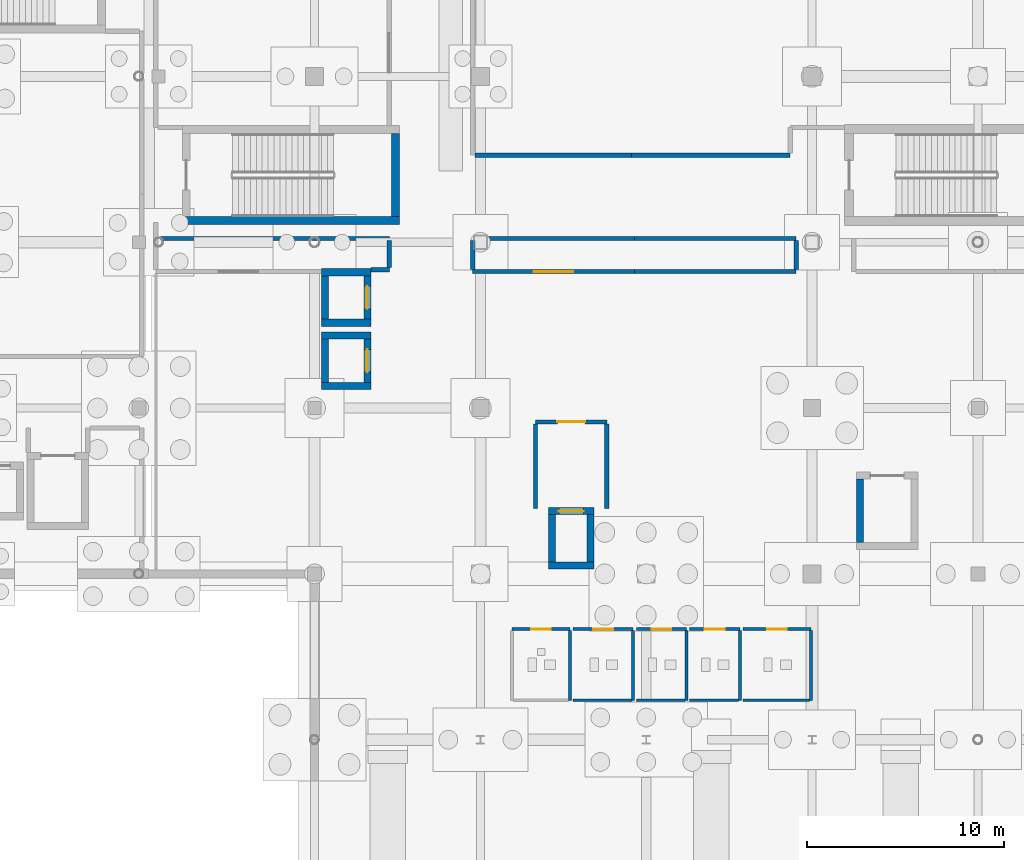
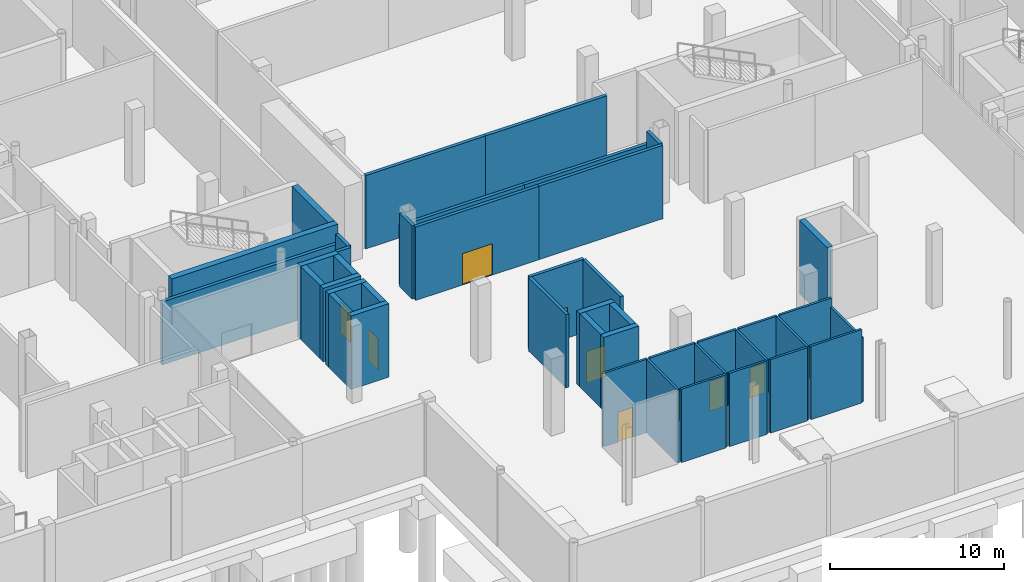
# One storey, part 28 of 49: 43 walls, 10 doors, 10 openings.
"""IFC4 building model written with IfcOpenShell, lengths in metres."""

from ifc_helpers import new_model, si_unit, direction, frame, frame_2d, origin, place, context, subcontext, project, spatial, rectangle, extrude, material, layer, layer_set, type_object, element, fill, save


model = new_model("IFC4")

# Units and contexts
model_context = context("Model", 3, precision=1e-05, world=origin(), true_north=direction((0.0, 1.0)))
body_context = subcontext(model_context, "Body", "Model", "MODEL_VIEW")
ifc_project = project(units=[si_unit("LENGTHUNIT", "METRE"), si_unit("AREAUNIT", "SQUARE_METRE"), si_unit("VOLUMEUNIT", "CUBIC_METRE"), si_unit("PLANEANGLEUNIT", "RADIAN"), si_unit("MASSUNIT", "GRAM", prefix="KILO"), si_unit("THERMODYNAMICTEMPERATUREUNIT", "KELVIN")], contexts=[model_context])

# Site, building, storey
site_placement = place(None, origin())
site = spatial("IfcSite", under=ifc_project, at=site_placement, CompositionType="ELEMENT")
building_placement = place(site_placement, origin())
building = spatial("IfcBuilding", under=site, at=building_placement, Name="Lustrewick Department Store", CompositionType="ELEMENT")
storey_placement = place(building_placement, frame((0.0, 0.0, -5.39990234375)))
storey = spatial("IfcBuildingStorey", under=building, at=storey_placement, Name="B1", CompositionType="ELEMENT", Elevation=-5.39990234375)

# Walls
ifc_material_1 = material(Name="Autoclaved aerated concrete blockwork and fire board", Category="masonry")
ifc_layer_1 = layer(ifc_material_1, 0.219970703125, Name="Autoclaved aerated concrete blockwork and fire board")
ifc_layer_set_1 = layer_set([ifc_layer_1], Name="Autoclaved aerated concrete blockwork and fire board")
wall_type_1 = type_object("IfcWallType", Name="PW01", PredefinedType="PARTITIONING", material=ifc_layer_set_1)
wall_1_placement = place(storey_placement, frame((70.989990234375, 58.989990234375, 0.0), z_axis=(0.0, 0.0, 1.0), x_axis=(-1.0, 0.0, 0.0)))
element("IfcWall", 1, at=wall_1_placement, inside=storey, type_object=wall_type_1, Name="B1 V2 Reserve Stockroom 1 PW01", PredefinedType="PARTITIONING", context=body_context, shape_type="SweptSolid", body=[
    extrude(rectangle(XDim=11.590087890625, YDim=0.219970703125, at=frame_2d((5.794921875, 0.0))), origin(), (0.0, 0.0, 1.0), 4.421875),
])
wall_2_placement = place(storey_placement, frame((70.06005859375, 57.409912109375, 0.0), z_axis=(0.0, 0.0, 1.0), x_axis=(1.0, 0.0, 0.0)))
element("IfcWall", 2, at=wall_2_placement, inside=storey, type_object=wall_type_1, Name="B1 V2 Reserve Stockroom 1 PW01", PredefinedType="PARTITIONING", context=body_context, shape_type="SweptSolid", body=[
    extrude(rectangle(XDim=0.929931640625, YDim=0.219970703125, at=frame_2d((0.46484375, 0.0))), origin(), (0.0, 0.0, 1.0), 5.14501953125),
])
wall_3_placement = place(storey_placement, frame((70.989990234375, 57.514892578125, 0.0), z_axis=(0.0, 0.0, 1.0), x_axis=(0.0, 1.0, 0.0)))
element("IfcWall", 3, at=wall_3_placement, inside=storey, type_object=wall_type_1, Name="B1 V2 Reserve Stockroom 1 PW01", PredefinedType="PARTITIONING", context=body_context, shape_type="SweptSolid", body=[
    extrude(rectangle(XDim=1.3701171875, YDim=0.219970703125, at=frame_2d((0.68505859375, 0.0))), origin(), (0.0, 0.0, 1.0), 5.14501953125),
])

# Wall, opening, door
wall_4_placement = place(storey_placement, frame((75.2099609375, 57.313720703125, 0.0), z_axis=(0.0, 0.0, 1.0), x_axis=(1.0, 0.0, 0.0)))
wall_4 = element("IfcWall", 4, at=wall_4_placement, inside=storey, type_object=wall_type_1, Name="B1 V2 Reserve Stockroom 2 PW01", PredefinedType="PARTITIONING", context=body_context, shape_type="SweptSolid", body=[
    extrude(rectangle(XDim=8.18994140625, YDim=0.219970703125, at=frame_2d((4.094970703125, 0.0))), origin(), (0.0, 0.0, 1.0), 5.14501953125),
])
opening_1_placement = place(wall_4_placement, frame((3.094970703125, 0.0, 0.0)))
opening_1 = element("IfcOpeningElement", 5, at=opening_1_placement, cuts=wall_4, Name="Opening D-B1-054", PredefinedType="OPENING", context=body_context, shape_type="SweptSolid", body=[
    extrude(rectangle(XDim=2.0, YDim=2.199951171875, at=frame_2d((1.0, 1.10009765625))), frame((0.0, 0.1201171875, 0.0), z_axis=(0.0, -1.0, 0.0), x_axis=(1.0, 0.0, 0.0)), (0.0, 0.0, 1.0), 0.239990234375),
])
ifc_material_2 = material(Name="Steel fire door Class A EI 90", Category="steel")
door_type_1 = type_object("IfcDoorType", Name="DT-06", OperationType="NOTDEFINED", PredefinedType="DOOR", material=ifc_material_2)
door_1_placement = place(opening_1_placement, origin())
door_1 = element("IfcDoor", 6, at=door_1_placement, inside=storey, type_object=door_type_1, Name="B1 V2 Reserve Stockroom 2 Door D-B1-054", OperationType="DOUBLE_DOOR_SINGLE_SWING", OverallHeight=2.199951171875, OverallWidth=2.0, PredefinedType="DOOR", context=body_context, shape_type="SweptSolid", body=[
    extrude(rectangle(XDim=2.0, YDim=2.199951171875, at=frame_2d((1.0, 1.10009765625))), frame((0.0, 0.02490234375, 0.0), z_axis=(0.0, -1.0, 0.0), x_axis=(1.0, 0.0, 0.0)), (0.0, 0.0, 1.0), 0.050048828125),
])
fill(opening_1, door_1)

# Walls
wall_5_placement = place(storey_placement, frame((83.39990234375, 57.313720703125, 0.0), z_axis=(0.0, 0.0, 1.0), x_axis=(1.0, 0.0, 0.0)))
element("IfcWall", 7, at=wall_5_placement, inside=storey, type_object=wall_type_1, Name="B1 V2 Reserve Stockroom 2 PW01", PredefinedType="PARTITIONING", context=body_context, shape_type="SweptSolid", body=[
    extrude(rectangle(XDim=8.190185546875, YDim=0.219970703125, at=frame_2d((4.09521484375, 0.0))), origin(), (0.0, 0.0, 1.0), 5.14501953125),
])
wall_6_placement = place(storey_placement, frame((91.590087890625, 58.989990234375, 0.0), z_axis=(0.0, 0.0, 1.0), x_axis=(-1.0, 0.0, 0.0)))
element("IfcWall", 8, at=wall_6_placement, inside=storey, type_object=wall_type_1, Name="B1 V2 Reserve Stockroom 2 PW01", PredefinedType="PARTITIONING", context=body_context, shape_type="SweptSolid", body=[
    extrude(rectangle(XDim=8.190185546875, YDim=0.219970703125, at=frame_2d((4.09521484375, 0.0))), origin(), (0.0, 0.0, 1.0), 4.221923828125),
])
wall_7_placement = place(storey_placement, frame((83.39990234375, 58.989990234375, 0.0), z_axis=(0.0, 0.0, 1.0), x_axis=(-1.0, 0.0, 0.0)))
element("IfcWall", 9, at=wall_7_placement, inside=storey, type_object=wall_type_1, Name="B1 V2 Reserve Stockroom 2 PW01", PredefinedType="PARTITIONING", context=body_context, shape_type="SweptSolid", body=[
    extrude(rectangle(XDim=8.18994140625, YDim=0.219970703125, at=frame_2d((4.094970703125, 0.0))), origin(), (0.0, 0.0, 1.0), 4.221923828125),
])
for number, where, z_axis, x_axis, name in (
    (10, (75.2099609375, 58.885009765625, 0.0), (0.0, 0.0, 1.0), (0.0, -1.0, 0.0), "B1 V2 Reserve Stockroom 2 PW01"),
    (11, (91.590087890625, 57.418701171875, 0.0), (0.0, 0.0, 1.0), (0.0, 1.0, 0.0), "B1 V2 Reserve Stockroom 2 PW01"),
):
    element("IfcWall", number, at=place(storey_placement, frame(where, z_axis=z_axis, x_axis=x_axis)), inside=storey, type_object=wall_type_1, Name=name, PredefinedType="PARTITIONING", context=body_context, shape_type="SweptSolid", body=[
        extrude(rectangle(XDim=1.46630859375, YDim=0.219970703125, at=frame_2d((0.733154296875, 0.0))), origin(), (0.0, 0.0, 1.0), 5.14501953125),
    ])
wall_8_placement = place(storey_placement, frame((75.31494140625, 63.2099609375, 0.0), z_axis=(0.0, 0.0, 1.0), x_axis=(1.0, 0.0, 0.0)))
element("IfcWall", 12, at=wall_8_placement, inside=storey, type_object=wall_type_1, Name="B1 Forward Merchandise Stockroom PW01", PredefinedType="PARTITIONING", context=body_context, shape_type="SweptSolid", body=[
    extrude(rectangle(XDim=7.93505859375, YDim=0.219970703125, at=frame_2d((3.967529296875, 0.0))), origin(), (0.0, 0.0, 1.0), 5.14501953125),
])
wall_9_placement = place(storey_placement, frame((83.25, 63.2099609375, 0.0), z_axis=(0.0, 0.0, 1.0), x_axis=(1.0, 0.0, 0.0)))
element("IfcWall", 13, at=wall_9_placement, inside=storey, type_object=wall_type_1, Name="B1 Forward Merchandise Stockroom PW01", PredefinedType="PARTITIONING", context=body_context, shape_type="SweptSolid", body=[
    extrude(rectangle(XDim=8.0400390625, YDim=0.219970703125, at=frame_2d((4.02001953125, 0.0))), origin(), (0.0, 0.0, 1.0), 5.14501953125),
])

# Wall, opening, door
ifc_layer_2 = layer(ifc_material_1, 0.205078125, Name="Autoclaved aerated concrete blockwork and fire board")
ifc_layer_set_2 = layer_set([ifc_layer_2], Name="Autoclaved aerated concrete blockwork and fire board")
wall_type_2 = type_object("IfcWallType", Name="PW02", PredefinedType="PARTITIONING", material=ifc_layer_set_2)
wall_10_placement = place(storey_placement, frame((82.0, 49.699951171875, 0.0), z_axis=(0.0, 0.0, 1.0), x_axis=(-1.0, 0.0, 0.0)))
wall_10 = element("IfcWall", 14, at=wall_10_placement, inside=storey, type_object=wall_type_2, Name="B1 Firefighting Lift Lobby FFL-02 PW02", PredefinedType="PARTITIONING", context=body_context, shape_type="SweptSolid", body=[
    extrude(rectangle(XDim=3.60009765625, YDim=0.205078125, at=frame_2d((1.800048828125, 0.0))), origin(), (0.0, 0.0, 1.0), 5.14501953125),
])
opening_2_placement = place(wall_10_placement, frame((1.10009765625, 0.0, 0.0)))
opening_2 = element("IfcOpeningElement", 15, at=opening_2_placement, cuts=wall_10, Name="Opening D-B1-047", PredefinedType="OPENING", context=body_context, shape_type="SweptSolid", body=[
    extrude(rectangle(XDim=1.39990234375, YDim=2.14990234375, at=frame_2d((0.699951171875, 1.074951171875))), frame((0.0, 0.112548828125, 0.0), z_axis=(0.0, -1.0, 0.0), x_axis=(1.0, 0.0, 0.0)), (0.0, 0.0, 1.0), 0.22509765625),
])
ifc_material_3 = material(Name="Steel fire door Class B EI 60", Category="steel")
door_type_2 = type_object("IfcDoorType", Name="DT-08", OperationType="NOTDEFINED", PredefinedType="DOOR", material=ifc_material_3)
door_2_placement = place(opening_2_placement, origin())
door_2 = element("IfcDoor", 16, at=door_2_placement, inside=storey, type_object=door_type_2, Name="B1 Firefighting Lift Lobby FFL-02 Door D-B1-047", OperationType="SINGLE_SWING_LEFT", OverallHeight=2.14990234375, OverallWidth=1.39990234375, PredefinedType="DOOR", context=body_context, shape_type="SweptSolid", body=[
    extrude(rectangle(XDim=1.39990234375, YDim=2.14990234375, at=frame_2d((0.699951171875, 1.074951171875))), frame((0.0, 0.02490234375, 0.0), z_axis=(0.0, -1.0, 0.0), x_axis=(1.0, 0.0, 0.0)), (0.0, 0.0, 1.0), 0.050048828125),
])
fill(opening_2, door_2)

# Walls
for number, where, z_axis, x_axis, name in (
    (17, (82.0, 45.300048828125, 0.0), (0.0, 0.0, 1.0), (0.0, 1.0, 0.0), "B1 Firefighting Lift Lobby FFL-02 PW02"),
    (18, (78.39990234375, 49.6025390625, 0.0), (0.0, 0.0, 1.0), (0.0, -1.0, 0.0), "B1 Firefighting Lift Lobby FFL-02 PW02"),
):
    element("IfcWall", number, at=place(storey_placement, frame(where, z_axis=z_axis, x_axis=x_axis)), inside=storey, type_object=wall_type_2, Name=name, PredefinedType="PARTITIONING", context=body_context, shape_type="SweptSolid", body=[
        extrude(rectangle(XDim=4.302490234375, YDim=0.205078125, at=frame_2d((2.1513671875, 0.0))), origin(), (0.0, 0.0, 1.0), 5.14501953125),
    ])

# Wall, opening, door
ifc_material_4 = material(Name="Moisture-resistant cement board sanitary partition", Category="gypsum")
ifc_layer_3 = layer(ifc_material_4, 0.14990234375, Name="Moisture-resistant cement board sanitary partition")
ifc_layer_set_3 = layer_set([ifc_layer_3], Name="Moisture-resistant cement board sanitary partition")
wall_type_3 = type_object("IfcWallType", Name="PW05", PredefinedType="PARTITIONING", material=ifc_layer_set_3)
wall_11_placement = place(storey_placement, frame((80.139892578125, 39.199951171875, 0.0), z_axis=(0.0, 0.0, 1.0), x_axis=(-1.0, 0.0, 0.0)))
wall_11 = element("IfcWall", 19, at=wall_11_placement, inside=storey, type_object=wall_type_3, Name="B1 Male Public WC PW05", PredefinedType="PARTITIONING", context=body_context, shape_type="SweptSolid", body=[
    extrude(rectangle(XDim=2.93994140625, YDim=0.14990234375, at=frame_2d((1.469970703125, 0.0))), origin(), (0.0, 0.0, 1.0), 5.14501953125),
])
opening_3_placement = place(wall_11_placement, frame((0.969970703125, 0.0, 0.0)))
opening_3 = element("IfcOpeningElement", 20, at=opening_3_placement, cuts=wall_11, Name="Opening D-B1-048", PredefinedType="OPENING", context=body_context, shape_type="SweptSolid", body=[
    extrude(rectangle(XDim=1.0, YDim=2.10009765625, at=frame_2d((0.5, 1.050048828125))), frame((0.0, 0.0849609375, 0.0), z_axis=(0.0, -1.0, 0.0), x_axis=(1.0, 0.0, 0.0)), (0.0, 0.0, 1.0), 0.169921875),
])
ifc_material_5 = material(Name="Moisture-resistant laminate sanitary door", Category="steel")
door_type_3 = type_object("IfcDoorType", Name="DT-11", OperationType="NOTDEFINED", PredefinedType="DOOR", material=ifc_material_5)
door_3_placement = place(opening_3_placement, origin())
door_3 = element("IfcDoor", 21, at=door_3_placement, inside=storey, type_object=door_type_3, Name="B1 Male Public WC Door D-B1-048", OperationType="SINGLE_SWING_RIGHT", OverallHeight=2.10009765625, OverallWidth=1.0, PredefinedType="DOOR", context=body_context, shape_type="SweptSolid", body=[
    extrude(rectangle(XDim=1.0, YDim=2.10009765625, at=frame_2d((0.5, 1.050048828125))), frame((0.0, 0.02490234375, 0.0), z_axis=(0.0, -1.0, 0.0), x_axis=(1.0, 0.0, 0.0)), (0.0, 0.0, 1.0), 0.050048828125),
])
fill(opening_3, door_3)

# Wall
wall_12_placement = place(storey_placement, frame((80.139892578125, 35.60009765625, 0.0), z_axis=(0.0, 0.0, 1.0), x_axis=(0.0, 1.0, 0.0)))
element("IfcWall", 22, at=wall_12_placement, inside=storey, type_object=wall_type_3, Name="B1 Male Public WC PW05", PredefinedType="PARTITIONING", context=body_context, shape_type="SweptSolid", body=[
    extrude(rectangle(XDim=3.52978515625, YDim=0.14990234375, at=frame_2d((1.764892578125, 0.0))), origin(), (0.0, 0.0, 1.0), 5.14501953125),
])

# Wall, opening, door
wall_13_placement = place(storey_placement, frame((83.340087890625, 39.199951171875, 0.0), z_axis=(0.0, 0.0, 1.0), x_axis=(-1.0, 0.0, 0.0)))
wall_13 = element("IfcWall", 23, at=wall_13_placement, inside=storey, type_object=wall_type_3, Name="B1 Female Public WC PW05", PredefinedType="PARTITIONING", context=body_context, shape_type="SweptSolid", body=[
    extrude(rectangle(XDim=3.0400390625, YDim=0.14990234375, at=frame_2d((1.52001953125, 0.0))), origin(), (0.0, 0.0, 1.0), 5.14501953125),
])
opening_4_placement = place(wall_13_placement, frame((1.02001953125, 0.0, 0.0)))
opening_4 = element("IfcOpeningElement", 24, at=opening_4_placement, cuts=wall_13, Name="Opening D-B1-049", PredefinedType="OPENING", context=body_context, shape_type="SweptSolid", body=[
    extrude(rectangle(XDim=1.0, YDim=2.10009765625, at=frame_2d((0.5, 1.050048828125))), frame((0.0, 0.0849609375, 0.0), z_axis=(0.0, -1.0, 0.0), x_axis=(1.0, 0.0, 0.0)), (0.0, 0.0, 1.0), 0.169921875),
])
door_4_placement = place(opening_4_placement, origin())
door_4 = element("IfcDoor", 25, at=door_4_placement, inside=storey, type_object=door_type_3, Name="B1 Female Public WC Door D-B1-049", OperationType="SINGLE_SWING_LEFT", OverallHeight=2.10009765625, OverallWidth=1.0, PredefinedType="DOOR", context=body_context, shape_type="SweptSolid", body=[
    extrude(rectangle(XDim=1.0, YDim=2.10009765625, at=frame_2d((0.5, 1.050048828125))), frame((0.0, 0.02490234375, 0.0), z_axis=(0.0, -1.0, 0.0), x_axis=(1.0, 0.0, 0.0)), (0.0, 0.0, 1.0), 0.050048828125),
])
fill(opening_4, door_4)

# Walls
wall_14_placement = place(storey_placement, frame((83.340087890625, 35.60009765625, 0.0), z_axis=(0.0, 0.0, 1.0), x_axis=(0.0, 1.0, 0.0)))
element("IfcWall", 26, at=wall_14_placement, inside=storey, type_object=wall_type_3, Name="B1 Female Public WC PW05", PredefinedType="PARTITIONING", context=body_context, shape_type="SweptSolid", body=[
    extrude(rectangle(XDim=3.52978515625, YDim=0.14990234375, at=frame_2d((1.764892578125, 0.0))), origin(), (0.0, 0.0, 1.0), 5.14501953125),
])
wall_15_placement = place(storey_placement, frame((80.300048828125, 35.60009765625, 0.0), z_axis=(0.0, 0.0, 1.0), x_axis=(1.0, 0.0, 0.0)))
element("IfcWall", 27, at=wall_15_placement, inside=storey, type_object=wall_type_3, Name="B1 Female Public WC PW05", PredefinedType="PARTITIONING", context=body_context, shape_type="SweptSolid", body=[
    extrude(rectangle(XDim=2.969970703125, YDim=0.14990234375, at=frame_2d((1.48486328125, 0.0))), origin(), (0.0, 0.0, 1.0), 5.14501953125),
])

# Wall, opening, door
wall_16_placement = place(storey_placement, frame((86.0400390625, 39.199951171875, 0.0), z_axis=(0.0, 0.0, 1.0), x_axis=(-1.0, 0.0, 0.0)))
wall_16 = element("IfcWall", 28, at=wall_16_placement, inside=storey, type_object=wall_type_3, Name="B1 Accessible WC PW05", PredefinedType="PARTITIONING", context=body_context, shape_type="SweptSolid", body=[
    extrude(rectangle(XDim=2.5400390625, YDim=0.14990234375, at=frame_2d((1.27001953125, 0.0))), origin(), (0.0, 0.0, 1.0), 5.14501953125),
])
opening_5_placement = place(wall_16_placement, frame((0.780029296875, 0.0, 0.0)))
opening_5 = element("IfcOpeningElement", 29, at=opening_5_placement, cuts=wall_16, Name="Opening D-B1-050", PredefinedType="OPENING", context=body_context, shape_type="SweptSolid", body=[
    extrude(rectangle(XDim=0.97998046875, YDim=2.10009765625, at=frame_2d((0.489990234375, 1.050048828125))), frame((0.0, 0.0849609375, 0.0), z_axis=(0.0, -1.0, 0.0), x_axis=(1.0, 0.0, 0.0)), (0.0, 0.0, 1.0), 0.169921875),
])
ifc_material_6 = material(Name="Barrier-free accessible sanitary door", Category="steel")
door_type_4 = type_object("IfcDoorType", Name="DT-12", OperationType="NOTDEFINED", PredefinedType="DOOR", material=ifc_material_6)
door_5_placement = place(opening_5_placement, origin())
door_5 = element("IfcDoor", 30, at=door_5_placement, inside=storey, type_object=door_type_4, Name="B1 Accessible WC Door D-B1-050", OperationType="SINGLE_SWING_RIGHT", OverallHeight=2.10009765625, OverallWidth=0.97998046875, PredefinedType="DOOR", context=body_context, shape_type="SweptSolid", body=[
    extrude(rectangle(XDim=0.97998046875, YDim=2.10009765625, at=frame_2d((0.489990234375, 1.050048828125))), frame((0.0, 0.02490234375, 0.0), z_axis=(0.0, -1.0, 0.0), x_axis=(1.0, 0.0, 0.0)), (0.0, 0.0, 1.0), 0.050048828125),
])
fill(opening_5, door_5)

# Walls
wall_17_placement = place(storey_placement, frame((86.0400390625, 35.60009765625, 0.0), z_axis=(0.0, 0.0, 1.0), x_axis=(0.0, 1.0, 0.0)))
element("IfcWall", 31, at=wall_17_placement, inside=storey, type_object=wall_type_3, Name="B1 Accessible WC PW05", PredefinedType="PARTITIONING", context=body_context, shape_type="SweptSolid", body=[
    extrude(rectangle(XDim=3.52978515625, YDim=0.14990234375, at=frame_2d((1.764892578125, 0.0))), origin(), (0.0, 0.0, 1.0), 5.14501953125),
])
wall_18_placement = place(storey_placement, frame((83.5, 35.60009765625, 0.0), z_axis=(0.0, 0.0, 1.0), x_axis=(1.0, 0.0, 0.0)))
element("IfcWall", 32, at=wall_18_placement, inside=storey, type_object=wall_type_3, Name="B1 Accessible WC PW05", PredefinedType="PARTITIONING", context=body_context, shape_type="SweptSolid", body=[
    extrude(rectangle(XDim=2.469970703125, YDim=0.14990234375, at=frame_2d((1.23486328125, 0.0))), origin(), (0.0, 0.0, 1.0), 5.14501953125),
])

# Wall, opening, door
wall_19_placement = place(storey_placement, frame((88.739990234375, 39.199951171875, 0.0), z_axis=(0.0, 0.0, 1.0), x_axis=(-1.0, 0.0, 0.0)))
wall_19 = element("IfcWall", 33, at=wall_19_placement, inside=storey, type_object=wall_type_3, Name="B1 Staff WC PW05", PredefinedType="PARTITIONING", context=body_context, shape_type="SweptSolid", body=[
    extrude(rectangle(XDim=2.5400390625, YDim=0.14990234375, at=frame_2d((1.27001953125, 0.0))), origin(), (0.0, 0.0, 1.0), 5.14501953125),
])
opening_6_placement = place(wall_19_placement, frame((0.77001953125, 0.0, 0.0)))
opening_6 = element("IfcOpeningElement", 34, at=opening_6_placement, cuts=wall_19, Name="Opening D-B1-051", PredefinedType="OPENING", context=body_context, shape_type="SweptSolid", body=[
    extrude(rectangle(XDim=1.0, YDim=2.10009765625, at=frame_2d((0.5, 1.050048828125))), frame((0.0, 0.0849609375, 0.0), z_axis=(0.0, -1.0, 0.0), x_axis=(1.0, 0.0, 0.0)), (0.0, 0.0, 1.0), 0.169921875),
])
door_6_placement = place(opening_6_placement, origin())
door_6 = element("IfcDoor", 35, at=door_6_placement, inside=storey, type_object=door_type_3, Name="B1 Staff WC Door D-B1-051", OperationType="SINGLE_SWING_LEFT", OverallHeight=2.10009765625, OverallWidth=1.0, PredefinedType="DOOR", context=body_context, shape_type="SweptSolid", body=[
    extrude(rectangle(XDim=1.0, YDim=2.10009765625, at=frame_2d((0.5, 1.050048828125))), frame((0.0, 0.02490234375, 0.0), z_axis=(0.0, -1.0, 0.0), x_axis=(1.0, 0.0, 0.0)), (0.0, 0.0, 1.0), 0.050048828125),
])
fill(opening_6, door_6)

# Walls
wall_20_placement = place(storey_placement, frame((88.739990234375, 35.60009765625, 0.0), z_axis=(0.0, 0.0, 1.0), x_axis=(0.0, 1.0, 0.0)))
element("IfcWall", 36, at=wall_20_placement, inside=storey, type_object=wall_type_3, Name="B1 Staff WC PW05", PredefinedType="PARTITIONING", context=body_context, shape_type="SweptSolid", body=[
    extrude(rectangle(XDim=3.52978515625, YDim=0.14990234375, at=frame_2d((1.764892578125, 0.0))), origin(), (0.0, 0.0, 1.0), 5.14501953125),
])
wall_21_placement = place(storey_placement, frame((86.199951171875, 35.60009765625, 0.0), z_axis=(0.0, 0.0, 1.0), x_axis=(1.0, 0.0, 0.0)))
element("IfcWall", 37, at=wall_21_placement, inside=storey, type_object=wall_type_3, Name="B1 Staff WC PW05", PredefinedType="PARTITIONING", context=body_context, shape_type="SweptSolid", body=[
    extrude(rectangle(XDim=2.469970703125, YDim=0.14990234375, at=frame_2d((1.23486328125, 0.0))), origin(), (0.0, 0.0, 1.0), 5.14501953125),
])

# Wall, opening, door
wall_22_placement = place(storey_placement, frame((92.340087890625, 39.199951171875, 0.0), z_axis=(0.0, 0.0, 1.0), x_axis=(-1.0, 0.0, 0.0)))
wall_22 = element("IfcWall", 38, at=wall_22_placement, inside=storey, type_object=wall_type_3, Name="B1 Nursery Room PW05", PredefinedType="PARTITIONING", context=body_context, shape_type="SweptSolid", body=[
    extrude(rectangle(XDim=3.440185546875, YDim=0.14990234375, at=frame_2d((1.72021484375, 0.0))), origin(), (0.0, 0.0, 1.0), 5.14501953125),
])
opening_7_placement = place(wall_22_placement, frame((1.22998046875, 0.0, 0.0)))
opening_7 = element("IfcOpeningElement", 39, at=opening_7_placement, cuts=wall_22, Name="Opening D-B1-052", PredefinedType="OPENING", context=body_context, shape_type="SweptSolid", body=[
    extrude(rectangle(XDim=0.97998046875, YDim=2.10009765625, at=frame_2d((0.489990234375, 1.050048828125))), frame((0.0, 0.0849609375, 0.0), z_axis=(0.0, -1.0, 0.0), x_axis=(1.0, 0.0, 0.0)), (0.0, 0.0, 1.0), 0.169921875),
])
door_7_placement = place(opening_7_placement, origin())
door_7 = element("IfcDoor", 40, at=door_7_placement, inside=storey, type_object=door_type_4, Name="B1 Nursery Room Door D-B1-052", OperationType="SINGLE_SWING_RIGHT", OverallHeight=2.10009765625, OverallWidth=0.97998046875, PredefinedType="DOOR", context=body_context, shape_type="SweptSolid", body=[
    extrude(rectangle(XDim=0.97998046875, YDim=2.10009765625, at=frame_2d((0.489990234375, 1.050048828125))), frame((0.0, 0.02490234375, 0.0), z_axis=(0.0, -1.0, 0.0), x_axis=(1.0, 0.0, 0.0)), (0.0, 0.0, 1.0), 0.050048828125),
])
fill(opening_7, door_7)

# Walls
wall_23_placement = place(storey_placement, frame((92.340087890625, 35.60009765625, 0.0), z_axis=(0.0, 0.0, 1.0), x_axis=(0.0, 1.0, 0.0)))
element("IfcWall", 41, at=wall_23_placement, inside=storey, type_object=wall_type_3, Name="B1 Nursery Room PW05", PredefinedType="PARTITIONING", context=body_context, shape_type="SweptSolid", body=[
    extrude(rectangle(XDim=3.52978515625, YDim=0.14990234375, at=frame_2d((1.764892578125, 0.0))), origin(), (0.0, 0.0, 1.0), 4.515869140625),
])
wall_24_placement = place(storey_placement, frame((88.89990234375, 35.60009765625, 0.0), z_axis=(0.0, 0.0, 1.0), x_axis=(1.0, 0.0, 0.0)))
element("IfcWall", 42, at=wall_24_placement, inside=storey, type_object=wall_type_3, Name="B1 Nursery Room PW05", PredefinedType="PARTITIONING", context=body_context, shape_type="SweptSolid", body=[
    extrude(rectangle(XDim=3.3701171875, YDim=0.14990234375, at=frame_2d((1.68505859375, 0.0))), origin(), (0.0, 0.0, 1.0), 5.14501953125),
])
ifc_material_7 = material(Name="Concrete C50", Category="concrete")
ifc_layer_4 = layer(ifc_material_7, 0.39990234375, Name="Concrete C50")
ifc_layer_set_4 = layer_set([ifc_layer_4], Name="Concrete C50")
wall_type_4 = type_object("IfcWallType", Name="SW02", PredefinedType="SHEAR", material=ifc_layer_set_4)
wall_25_placement = place(storey_placement, frame((60.5, 59.89990234375, 0.0), z_axis=(0.0, 0.0, 1.0), x_axis=(1.0, 0.0, 0.0)))
element("IfcWall", 43, at=wall_25_placement, inside=storey, type_object=wall_type_4, Name="B1 Stair Core ST04 Shear Wall S", PredefinedType="SHEAR", context=body_context, shape_type="SweptSolid", body=[
    extrude(rectangle(XDim=11.0, YDim=0.39990234375, at=frame_2d((5.5, 0.0))), origin(), (0.0, 0.0, 1.0), 5.14501953125),
])
wall_26_placement = place(storey_placement, frame((71.300048828125, 60.10009765625, 0.0), z_axis=(0.0, 0.0, 1.0), x_axis=(0.0, 1.0, 0.0)))
element("IfcWall", 44, at=wall_26_placement, inside=storey, type_object=wall_type_4, Name="B1 Stair Core ST04 Shear Wall E", PredefinedType="SHEAR", context=body_context, shape_type="SweptSolid", body=[
    extrude(rectangle(XDim=4.199951171875, YDim=0.39990234375, at=frame_2d((2.10009765625, 0.0))), origin(), (0.0, 0.0, 1.0), 5.14501953125),
])
ifc_material_8 = material(Name="Concrete C40", Category="concrete")
ifc_layer_5 = layer(ifc_material_8, 0.360107421875, Name="Concrete C40")
ifc_layer_set_5 = layer_set([ifc_layer_5], Name="Concrete C40")
wall_type_5 = type_object("IfcWallType", Name="SW04", PredefinedType="SHEAR", material=ifc_layer_set_5)
wall_27_placement = place(storey_placement, frame((79.0400390625, 42.419921875, 0.0), z_axis=(0.0, 0.0, 1.0), x_axis=(1.0, 0.0, 0.0)))
element("IfcWall", 45, at=wall_27_placement, inside=storey, type_object=wall_type_5, Name="B1 Lift FFL-02 Shaft Wall -Y", PredefinedType="SHEAR", context=body_context, shape_type="SweptSolid", body=[
    extrude(rectangle(XDim=2.320068359375, YDim=0.360107421875, at=frame_2d((1.16015625, 0.0))), origin(), (0.0, 0.0, 1.0), 5.14501953125),
])
wall_28_placement = place(storey_placement, frame((81.179931640625, 42.60009765625, 0.0), z_axis=(0.0, 0.0, 1.0), x_axis=(0.0, 1.0, 0.0)))
element("IfcWall", 46, at=wall_28_placement, inside=storey, type_object=wall_type_5, Name="B1 Lift FFL-02 Shaft Wall +X", PredefinedType="SHEAR", context=body_context, shape_type="SweptSolid", body=[
    extrude(rectangle(XDim=2.39990234375, YDim=0.360107421875, at=frame_2d((1.199951171875, 0.0))), origin(), (0.0, 0.0, 1.0), 5.14501953125),
])

# Wall, opening, door
wall_29_placement = place(storey_placement, frame((81.360107421875, 45.179931640625, 0.0), z_axis=(0.0, 0.0, 1.0), x_axis=(-1.0, 0.0, 0.0)))
wall_29 = element("IfcWall", 47, at=wall_29_placement, inside=storey, type_object=wall_type_5, Name="B1 Lift FFL-02 Shaft Wall +Y", PredefinedType="SHEAR", context=body_context, shape_type="SweptSolid", body=[
    extrude(rectangle(XDim=2.320068359375, YDim=0.360107421875, at=frame_2d((1.16015625, 0.0))), origin(), (0.0, 0.0, 1.0), 5.14501953125),
])
opening_8_placement = place(wall_29_placement, frame((0.534912109375, 0.0, 0.0)))
opening_8 = element("IfcOpeningElement", 48, at=opening_8_placement, cuts=wall_29, Name="Opening LD-B1-02", PredefinedType="OPENING", context=body_context, shape_type="SweptSolid", body=[
    extrude(rectangle(XDim=1.25, YDim=2.199951171875, at=frame_2d((0.625, 1.10009765625))), frame((0.0, 0.18994140625, 0.0), z_axis=(0.0, -1.0, 0.0), x_axis=(1.0, 0.0, 0.0)), (0.0, 0.0, 1.0), 0.380126953125),
])
ifc_material_9 = material(Name="Stainless steel firefighting lift landing door EI 90", Category="steel")
door_type_5 = type_object("IfcDoorType", Name="DT-15", OperationType="NOTDEFINED", PredefinedType="DOOR", material=ifc_material_9)
door_8_placement = place(opening_8_placement, frame((1.25, 0.0, 0.0), z_axis=(0.0, 0.0, 1.0), x_axis=(-1.0, 0.0, 0.0)))
door_8 = element("IfcDoor", 49, at=door_8_placement, inside=storey, type_object=door_type_5, Name="B1 Lift FFL-02 Sliding Landing Door LD-B1-02", OperationType="DOUBLE_DOOR_SLIDING", OverallHeight=2.199951171875, OverallWidth=1.25, PredefinedType="DOOR", context=body_context, shape_type="SweptSolid", body=[
    extrude(rectangle(XDim=1.25, YDim=2.199951171875, at=frame_2d((0.625, 1.10009765625))), frame((0.0, 0.02490234375, 0.0), z_axis=(0.0, -1.0, 0.0), x_axis=(1.0, 0.0, 0.0)), (0.0, 0.0, 1.0), 0.050048828125),
])
fill(opening_8, door_8)

# Walls
wall_30_placement = place(storey_placement, frame((79.219970703125, 45.0, 0.0), z_axis=(0.0, 0.0, 1.0), x_axis=(0.0, -1.0, 0.0)))
element("IfcWall", 50, at=wall_30_placement, inside=storey, type_object=wall_type_5, Name="B1 Lift FFL-02 Shaft Wall -X", PredefinedType="SHEAR", context=body_context, shape_type="SweptSolid", body=[
    extrude(rectangle(XDim=2.39990234375, YDim=0.360107421875, at=frame_2d((1.199951171875, 0.0))), origin(), (0.0, 0.0, 1.0), 5.14501953125),
])
wall_31_placement = place(storey_placement, frame((67.5400390625, 51.52001953125, 0.0), z_axis=(0.0, 0.0, 1.0), x_axis=(1.0, 0.0, 0.0)))
element("IfcWall", 51, at=wall_31_placement, inside=storey, type_object=wall_type_5, Name="B1 Lift PL-03 Shaft Wall -Y", PredefinedType="SHEAR", context=body_context, shape_type="SweptSolid", body=[
    extrude(rectangle(XDim=2.52001953125, YDim=0.360107421875, at=frame_2d((1.260009765625, 0.0))), origin(), (0.0, 0.0, 1.0), 5.14501953125),
])

# Wall, opening, door
wall_32_placement = place(storey_placement, frame((69.8798828125, 51.699951171875, 0.0), z_axis=(0.0, 0.0, 1.0), x_axis=(0.0, 1.0, 0.0)))
wall_32 = element("IfcWall", 52, at=wall_32_placement, inside=storey, type_object=wall_type_5, Name="B1 Lift PL-03 Shaft Wall +X", PredefinedType="SHEAR", context=body_context, shape_type="SweptSolid", body=[
    extrude(rectangle(XDim=2.199951171875, YDim=0.360107421875, at=frame_2d((1.10009765625, 0.0))), origin(), (0.0, 0.0, 1.0), 5.14501953125),
])
opening_9_placement = place(wall_32_placement, frame((0.52490234375, 0.0, 0.0)))
opening_9 = element("IfcOpeningElement", 53, at=opening_9_placement, cuts=wall_32, Name="Opening LD-B1-07", PredefinedType="OPENING", context=body_context, shape_type="SweptSolid", body=[
    extrude(rectangle(XDim=1.14990234375, YDim=2.199951171875, at=frame_2d((0.574951171875, 1.10009765625))), frame((0.0, 0.18994140625, 0.0), z_axis=(0.0, -1.0, 0.0), x_axis=(1.0, 0.0, 0.0)), (0.0, 0.0, 1.0), 0.380126953125),
])
ifc_material_10 = material(Name="Brushed bronze passenger lift landing door EI 60", Category="steel")
door_type_6 = type_object("IfcDoorType", Name="DT-16", OperationType="NOTDEFINED", PredefinedType="DOOR", material=ifc_material_10)
door_9_placement = place(opening_9_placement, frame((1.14990234375, 0.0, 0.0), z_axis=(0.0, 0.0, 1.0), x_axis=(-1.0, 0.0, 0.0)))
door_9 = element("IfcDoor", 54, at=door_9_placement, inside=storey, type_object=door_type_6, Name="B1 Lift PL-03 Sliding Landing Door LD-B1-07", OperationType="DOUBLE_DOOR_SLIDING", OverallHeight=2.199951171875, OverallWidth=1.14990234375, PredefinedType="DOOR", context=body_context, shape_type="SweptSolid", body=[
    extrude(rectangle(XDim=1.14990234375, YDim=2.199951171875, at=frame_2d((0.574951171875, 1.10009765625))), frame((0.0, 0.02490234375, 0.0), z_axis=(0.0, -1.0, 0.0), x_axis=(1.0, 0.0, 0.0)), (0.0, 0.0, 1.0), 0.050048828125),
])
fill(opening_9, door_9)

# Walls
wall_33_placement = place(storey_placement, frame((70.06005859375, 54.080078125, 0.0), z_axis=(0.0, 0.0, 1.0), x_axis=(-1.0, 0.0, 0.0)))
element("IfcWall", 55, at=wall_33_placement, inside=storey, type_object=wall_type_5, Name="B1 Lift PL-03 Shaft Wall +Y", PredefinedType="SHEAR", context=body_context, shape_type="SweptSolid", body=[
    extrude(rectangle(XDim=2.52001953125, YDim=0.360107421875, at=frame_2d((1.260009765625, 0.0))), origin(), (0.0, 0.0, 1.0), 5.14501953125),
])
wall_34_placement = place(storey_placement, frame((67.719970703125, 53.89990234375, 0.0), z_axis=(0.0, 0.0, 1.0), x_axis=(0.0, -1.0, 0.0)))
element("IfcWall", 56, at=wall_34_placement, inside=storey, type_object=wall_type_5, Name="B1 Lift PL-03 Shaft Wall -X", PredefinedType="SHEAR", context=body_context, shape_type="SweptSolid", body=[
    extrude(rectangle(XDim=2.199951171875, YDim=0.360107421875, at=frame_2d((1.10009765625, 0.0))), origin(), (0.0, 0.0, 1.0), 5.14501953125),
])
wall_35_placement = place(storey_placement, frame((67.5400390625, 54.719970703125, 0.0), z_axis=(0.0, 0.0, 1.0), x_axis=(1.0, 0.0, 0.0)))
element("IfcWall", 57, at=wall_35_placement, inside=storey, type_object=wall_type_5, Name="B1 Lift PL-04 Shaft Wall -Y", PredefinedType="SHEAR", context=body_context, shape_type="SweptSolid", body=[
    extrude(rectangle(XDim=2.52001953125, YDim=0.360107421875, at=frame_2d((1.260009765625, 0.0))), origin(), (0.0, 0.0, 1.0), 5.14501953125),
])

# Wall, opening, door
wall_36_placement = place(storey_placement, frame((69.8798828125, 54.89990234375, 0.0), z_axis=(0.0, 0.0, 1.0), x_axis=(0.0, 1.0, 0.0)))
wall_36 = element("IfcWall", 58, at=wall_36_placement, inside=storey, type_object=wall_type_5, Name="B1 Lift PL-04 Shaft Wall +X", PredefinedType="SHEAR", context=body_context, shape_type="SweptSolid", body=[
    extrude(rectangle(XDim=2.2001953125, YDim=0.360107421875, at=frame_2d((1.10009765625, 0.0))), origin(), (0.0, 0.0, 1.0), 5.14501953125),
])
opening_10_placement = place(wall_36_placement, frame((0.52490234375, 0.0, 0.0)))
opening_10 = element("IfcOpeningElement", 59, at=opening_10_placement, cuts=wall_36, Name="Opening LD-B1-08", PredefinedType="OPENING", context=body_context, shape_type="SweptSolid", body=[
    extrude(rectangle(XDim=1.14990234375, YDim=2.199951171875, at=frame_2d((0.574951171875, 1.10009765625))), frame((0.0, 0.18994140625, 0.0), z_axis=(0.0, -1.0, 0.0), x_axis=(1.0, 0.0, 0.0)), (0.0, 0.0, 1.0), 0.380126953125),
])
door_10_placement = place(opening_10_placement, frame((1.14990234375, 0.0, 0.0), z_axis=(0.0, 0.0, 1.0), x_axis=(-1.0, 0.0, 0.0)))
door_10 = element("IfcDoor", 60, at=door_10_placement, inside=storey, type_object=door_type_6, Name="B1 Lift PL-04 Sliding Landing Door LD-B1-08", OperationType="DOUBLE_DOOR_SLIDING", OverallHeight=2.199951171875, OverallWidth=1.14990234375, PredefinedType="DOOR", context=body_context, shape_type="SweptSolid", body=[
    extrude(rectangle(XDim=1.14990234375, YDim=2.199951171875, at=frame_2d((0.574951171875, 1.10009765625))), frame((0.0, 0.02490234375, 0.0), z_axis=(0.0, -1.0, 0.0), x_axis=(1.0, 0.0, 0.0)), (0.0, 0.0, 1.0), 0.050048828125),
])
fill(opening_10, door_10)

# Walls
wall_37_placement = place(storey_placement, frame((70.06005859375, 57.280029296875, 0.0), z_axis=(0.0, 0.0, 1.0), x_axis=(-1.0, 0.0, 0.0)))
element("IfcWall", 61, at=wall_37_placement, inside=storey, type_object=wall_type_5, Name="B1 Lift PL-04 Shaft Wall +Y", PredefinedType="SHEAR", context=body_context, shape_type="SweptSolid", body=[
    extrude(rectangle(XDim=2.52001953125, YDim=0.360107421875, at=frame_2d((1.260009765625, 0.0))), origin(), (0.0, 0.0, 1.0), 5.14501953125),
])
wall_38_placement = place(storey_placement, frame((67.719970703125, 57.10009765625, 0.0), z_axis=(0.0, 0.0, 1.0), x_axis=(0.0, -1.0, 0.0)))
element("IfcWall", 62, at=wall_38_placement, inside=storey, type_object=wall_type_5, Name="B1 Lift PL-04 Shaft Wall -X", PredefinedType="SHEAR", context=body_context, shape_type="SweptSolid", body=[
    extrude(rectangle(XDim=2.2001953125, YDim=0.360107421875, at=frame_2d((1.10009765625, 0.0))), origin(), (0.0, 0.0, 1.0), 5.14501953125),
])
wall_39_placement = place(storey_placement, frame((94.820068359375, 46.800048828125, 0.0), z_axis=(0.0, 0.0, 1.0), x_axis=(0.0, -1.0, 0.0)))
element("IfcWall", 63, at=wall_39_placement, inside=storey, type_object=wall_type_5, Name="B1 Lift GL-02 Shaft Wall -X", PredefinedType="SHEAR", context=body_context, shape_type="SweptSolid", body=[
    extrude(rectangle(XDim=3.199951171875, YDim=0.360107421875, at=frame_2d((1.60009765625, 0.0))), origin(), (0.0, 0.0, 1.0), 5.14501953125),
])

save(model, "model.ifc")
